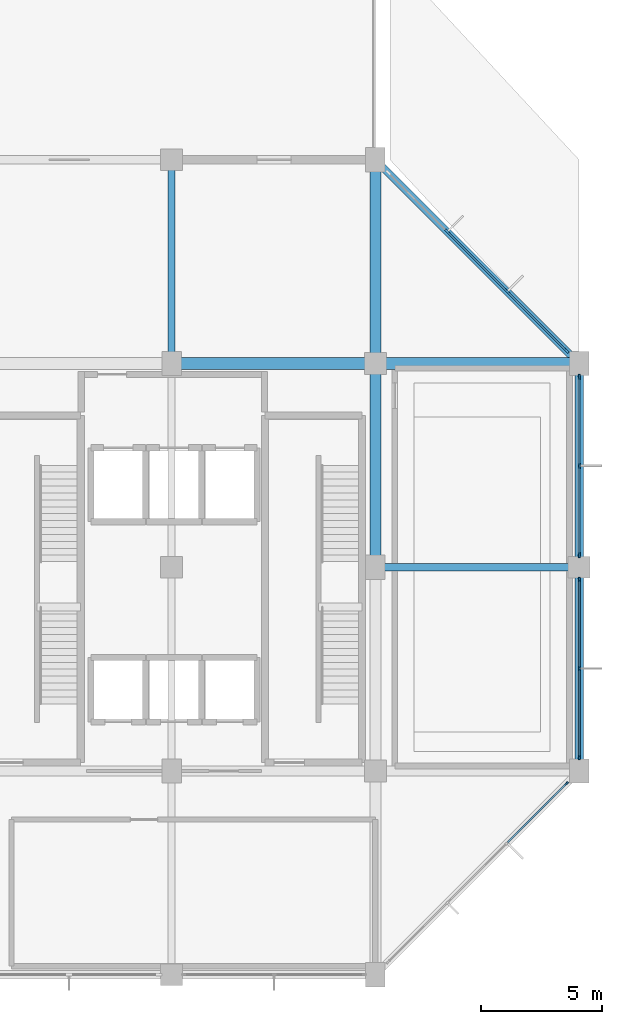
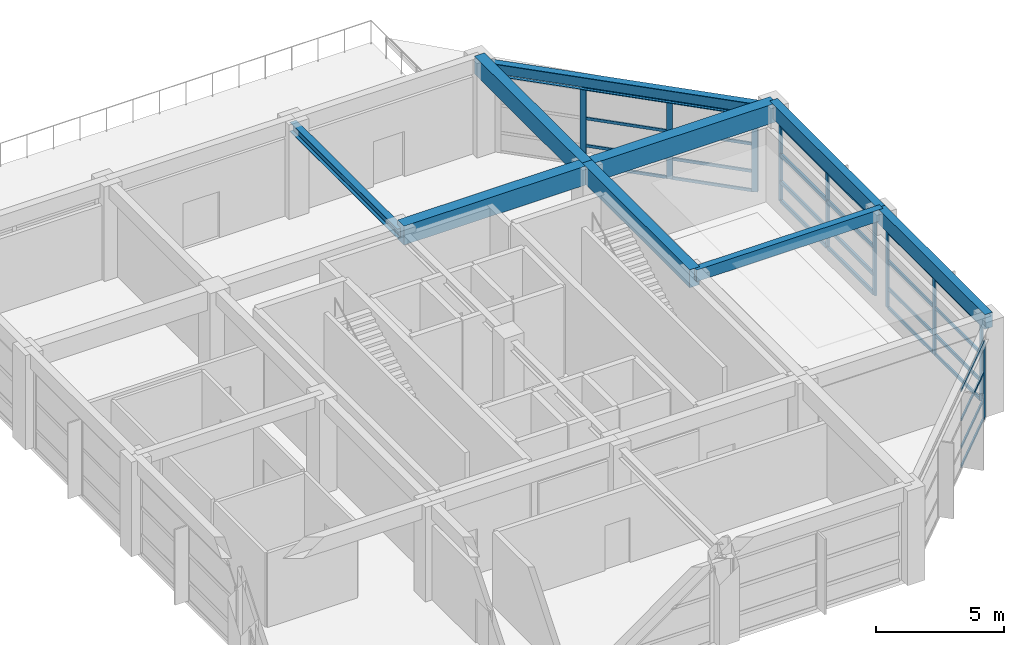
# One storey, part 5 of 10: 38 members, 9 beams, 4 elements without a shape of their own.
"""IFC4 building model written with IfcOpenShell, lengths in metres."""

import ifcopenshell
import ifcopenshell.guid

model = None  # the IFC model being written
_history = None  # IfcOwnerHistory: only IFC2X3 demands one
_inside = {}  # id of a spatial element -> (the spatial element, [elements in it])
_under = {}  # id of a project, library or spatial element -> (it, [spatial elements below it])
_declared = {}  # id of a project -> (the project, [libraries it declares])
_typed = {}  # id of a type object -> (the type object, [elements of that type])
_made_of = {}  # id of a material, layer set ... -> (it, [elements and type objects made of it])


def new_model(schema):
    """Start an empty IFC model of exactly this schema.

    Asked for "IFC4X3", IfcOpenShell would pick the latest addendum, in which some entities
    have other attributes; the version numbers below select the first issue.
    IFC2X3 requires an IfcOwnerHistory on every rooted entity: one is made here for all.
    """
    global model, _history
    if schema == "IFC4X3":
        model = ifcopenshell.file(schema_version=(4, 3, 0, 0))
    else:
        model = ifcopenshell.file(schema=schema)
    _inside.clear()
    _under.clear()
    _declared.clear()
    _typed.clear()
    _made_of.clear()
    _history = None
    if model.schema == "IFC2X3":
        org = make("IfcOrganization", Name="unknown")
        user = make(
            "IfcPersonAndOrganization",
            ThePerson=make("IfcPerson", FamilyName="unknown"),
            TheOrganization=org,
        )
        app = make(
            "IfcApplication",
            ApplicationDeveloper=org,
            Version="unknown",
            ApplicationFullName="unknown",
            ApplicationIdentifier="unknown",
        )
        _history = make(
            "IfcOwnerHistory",
            OwningUser=user,
            OwningApplication=app,
            ChangeAction="ADDED",
            CreationDate=0,
        )
    return model


def make(cls, **values):
    """One entity of the class cls with the attributes given. An attribute that is None is left unset."""
    return model.create_entity(
        cls, **{name: value for name, value in values.items() if value is not None}
    )


def rooted(cls, **values):
    """An entity with a GlobalId (a new one), such as an element, a storey or a relation."""
    return make(cls, GlobalId=ifcopenshell.guid.new(), OwnerHistory=_history, **values)


def si_unit(unit_type, name, prefix=None):
    """IfcSIUnit, for example si_unit("LENGTHUNIT", "METRE", prefix="MILLI")."""
    return make("IfcSIUnit", UnitType=unit_type, Prefix=prefix, Name=name)


def assignment(units):
    """IfcUnitAssignment: the units of a project."""
    return None if units is None else make("IfcUnitAssignment", Units=units)


def point(xyz):
    """IfcCartesianPoint."""
    return None if xyz is None else make("IfcCartesianPoint", Coordinates=xyz)


def direction(xyz):
    """IfcDirection."""
    return None if xyz is None else make("IfcDirection", DirectionRatios=xyz)


def frame(location, z_axis=None, x_axis=None):
    """IfcAxis2Placement3D, a coordinate frame: its origin and axes. An axis left out is left unset."""
    return make(
        "IfcAxis2Placement3D",
        Location=point(location),
        Axis=direction(z_axis),
        RefDirection=direction(x_axis),
    )


def frame_2d(location, x_axis=None):
    """IfcAxis2Placement2D, a coordinate frame in the plane: its origin and x axis."""
    return make(
        "IfcAxis2Placement2D", Location=point(location), RefDirection=direction(x_axis)
    )


def origin():
    """The frame at (0, 0, 0) with its axes left unset."""
    return frame((0.0, 0.0, 0.0))


def origin_2d():
    """The frame at (0, 0) in the plane with its x axis left unset."""
    return frame_2d((0.0, 0.0))


def place(relative_to, where):
    """IfcLocalPlacement: puts the frame where relative to a parent placement (None: the world)."""
    return make(
        "IfcLocalPlacement", PlacementRelTo=relative_to, RelativePlacement=where
    )


def context(
    kind, dimensions, precision=None, world=None, true_north=None, identifier=None
):
    """IfcGeometricRepresentationContext, for example the 3D "Model" context."""
    return make(
        "IfcGeometricRepresentationContext",
        ContextIdentifier=identifier,
        ContextType=kind,
        CoordinateSpaceDimension=dimensions,
        Precision=precision,
        WorldCoordinateSystem=world,
        TrueNorth=true_north,
    )


def subcontext(parent, identifier, kind, view, scale=None):
    """IfcGeometricRepresentationSubContext, for example "Body" below "Model"."""
    return make(
        "IfcGeometricRepresentationSubContext",
        ContextIdentifier=identifier,
        ContextType=kind,
        ParentContext=parent,
        TargetScale=scale,
        TargetView=view,
    )


def project(units=None, contexts=None):
    """IfcProject with its units and contexts."""
    return rooted(
        "IfcProject",
        Name="project",
        RepresentationContexts=contexts,
        UnitsInContext=assignment(units),
    )


def spatial(cls, under=None, at=None, **own):
    """A site, building, storey or space (cls), placed at a placement, below another one or the project."""
    s = rooted(cls, ObjectPlacement=at, **own)
    if under is not None:
        _under.setdefault(under.id(), (under, []))[1].append(s)
    return s


def profile(cls, at=None, kind="AREA", **sizes):
    """A parametric profile (cls). Its sizes go by their IFC names, for example OverallWidth=200.0."""
    return make(cls, ProfileType=kind, Position=at, **sizes)


def rectangle(**sizes):
    """IfcRectangleProfileDef."""
    return profile("IfcRectangleProfileDef", **sizes)


def i_section(**sizes):
    """IfcIShapeProfileDef."""
    return profile("IfcIShapeProfileDef", **sizes)


def extrude(swept, where, along, depth):
    """IfcExtrudedAreaSolid: the profile swept, set in the frame where, extruded along a direction by depth."""
    return make(
        "IfcExtrudedAreaSolid",
        SweptArea=swept,
        Position=where,
        ExtrudedDirection=direction(along),
        Depth=depth,
    )


def shape(context_of_items, identifier, shape_type, items):
    """IfcShapeRepresentation: the items that make up one representation, for example the "Body"."""
    return make(
        "IfcShapeRepresentation",
        ContextOfItems=context_of_items,
        RepresentationIdentifier=identifier,
        RepresentationType=shape_type,
        Items=items,
    )


def material(Name=None, Category=None):
    """IfcMaterial."""
    return make("IfcMaterial", Name=Name, Category=Category)


def material_profile(
    of_material, cross_section, Name=None, Category=None, Priority=None
):
    """IfcMaterialProfile: a cross section and its material."""
    return make(
        "IfcMaterialProfile",
        Name=Name,
        Material=of_material,
        Profile=cross_section,
        Priority=Priority,
        Category=Category,
    )


def profile_set(profiles, Name=None, composite=None):
    """IfcMaterialProfileSet."""
    return make(
        "IfcMaterialProfileSet",
        Name=Name,
        MaterialProfiles=profiles,
        CompositeProfile=composite,
    )


def made_of(thing, what):
    """Note that an element or type object is made of a material, layer set ...; save() writes the relation."""
    if what is not None:
        _made_of.setdefault(what.id(), (what, []))[1].append(thing)
    return thing


def type_object(cls, material=None, **own):
    """A type object (cls), such as IfcWallType, which elements share."""
    return made_of(rooted(cls, **own), material)


def element(
    cls,
    number,
    at=None,
    inside=None,
    cuts=None,
    type_object=None,
    material=None,
    context=None,
    identifier="Body",
    shape_type=None,
    held_by="IfcProductDefinitionShape",
    body=None,
    shapes=None,
    **own,
):
    """One element of the class cls, such as IfcWall. Its Tag is "e" and its number.

    at: its placement. inside: the storey or other place that contains it. cuts: it is an
    opening in that element (IfcRelVoidsElement). A single representation is given by context,
    identifier, shape_type and body (its items); several are given by shapes. held_by: the class
    of the entity that holds the representations. save() writes the other relations.
    """
    e = rooted(cls, Tag="e%d" % number, ObjectPlacement=at, **own)
    if body is not None:
        shapes = [shape(context, identifier, shape_type, body)]
    if shapes is not None:
        e.Representation = make(held_by, Representations=shapes)
    if inside is not None:
        _inside.setdefault(inside.id(), (inside, []))[1].append(e)
    if cuts is not None:
        rooted(
            "IfcRelVoidsElement", RelatingBuildingElement=cuts, RelatedOpeningElement=e
        )
    if type_object is not None:
        _typed.setdefault(type_object.id(), (type_object, []))[1].append(e)
    return made_of(e, material)


def aggregate(whole, parts):
    """IfcRelAggregates: a whole, such as a stair, and the parts it consists of."""
    return rooted("IfcRelAggregates", RelatingObject=whole, RelatedObjects=parts)


def save(model, path):
    """Write the relations noted so far, then the file.

    IfcRelAggregates (storeys below a building ...), IfcRelContainedInSpatialStructure (elements
    in a storey), IfcRelDefinesByType, IfcRelAssociatesMaterial and IfcRelDeclares: one each for
    every whole, place, type object, material and project.
    """
    for whole, parts in _under.values():
        aggregate(whole, parts)
    for where, things in _inside.values():
        rooted(
            "IfcRelContainedInSpatialStructure",
            RelatedElements=things,
            RelatingStructure=where,
        )
    for kind, things in _typed.values():
        rooted("IfcRelDefinesByType", RelatedObjects=things, RelatingType=kind)
    for what, things in _made_of.values():
        rooted("IfcRelAssociatesMaterial", RelatedObjects=things, RelatingMaterial=what)
    for by, libraries in _declared.values():
        rooted("IfcRelDeclares", RelatingContext=by, RelatedDefinitions=libraries)
    model.write(path)


model = new_model("IFC4")

# Units and contexts
model_context = context("Model", 3, precision=1e-05, world=origin(), true_north=direction((0.0, 1.0)))
body_context = subcontext(model_context, "Body", "Model", "MODEL_VIEW")
ifc_project = project(units=[si_unit("LENGTHUNIT", "METRE"), si_unit("AREAUNIT", "SQUARE_METRE"), si_unit("VOLUMEUNIT", "CUBIC_METRE"), si_unit("PLANEANGLEUNIT", "RADIAN"), si_unit("MASSUNIT", "GRAM", prefix="KILO")], contexts=[model_context])

# Site, building, storey
site_placement = place(None, origin())
site = spatial("IfcSite", under=ifc_project, at=site_placement, CompositionType="ELEMENT")
building_placement = place(site_placement, origin())
building = spatial("IfcBuilding", under=site, at=building_placement, Name="Xuanlan Plaza Opera House", CompositionType="ELEMENT")
storey_placement = place(building_placement, frame((0.0, 0.0, 69.89990234375)))
storey = spatial("IfcBuildingStorey", under=building, at=storey_placement, Name="L16", CompositionType="ELEMENT", Elevation=69.89990234375)

# Curtain wall, member
ifc_material_1 = material(Name="Anodised Aluminium 6063-T6 and Low-E Glass", Category="aluminium")
curtain_wall_type_1 = type_object("IfcCurtainWallType", Name="ENV-CW-CW-02", PredefinedType="USERDEFINED", material=ifc_material_1)
curtain_wall_1_placement = place(storey_placement, origin())
curtain_wall_1 = element("IfcCurtainWall", 1, at=curtain_wall_1_placement, inside=storey, type_object=curtain_wall_type_1, Name="Unitised Curtain Wall L16-004", ObjectType="UNITISED CURTAIN WALL", PredefinedType="USERDEFINED")
ifc_material_2 = material(Name="Anodised Aluminium 6063-T6", Category="aluminium")
ifc_material_profile_1 = material_profile(ifc_material_2, rectangle(XDim=0.070068359375, YDim=0.179931640625, at=origin_2d()), Name="ALU-M 70x180")
ifc_profile_set_1 = profile_set([ifc_material_profile_1], Name="Anodised Aluminium 6063-T6")
member_type_1 = type_object("IfcMemberType", Name="ENV-CWM-02", PredefinedType="MULLION", material=ifc_profile_set_1)
member_1_placement = place(storey_placement, frame((159.076171875, 49.876220703125, 0.0), z_axis=(0.0, 0.0, 1.0), x_axis=(-0.707106781187, 0.707106781187, 0.0)))
member_1 = element("IfcMember", 2, at=member_1_placement, type_object=member_type_1, Name="CW-02 mullion 4", PredefinedType="MULLION", context=body_context, shape_type="SweptSolid", body=[
    extrude(rectangle(XDim=0.070068359375, YDim=0.179931640625, at=origin_2d()), origin(), (0.0, 0.0, 1.0), 3.68017578125),
])

# Curtain wall, members
curtain_wall_type_2 = type_object("IfcCurtainWallType", Name="ENV-CW-CW-03", PredefinedType="USERDEFINED", material=ifc_material_1)
curtain_wall_2_placement = place(storey_placement, origin())
curtain_wall_2 = element("IfcCurtainWall", 3, at=curtain_wall_2_placement, inside=storey, type_object=curtain_wall_type_2, Name="Unitised Curtain Wall L16-005", ObjectType="UNITISED CURTAIN WALL", PredefinedType="USERDEFINED")
ifc_material_profile_2 = material_profile(ifc_material_2, rectangle(XDim=0.074951171875, YDim=0.199951171875, at=origin_2d()), Name="ALU-M 75x200")
ifc_profile_set_2 = profile_set([ifc_material_profile_2], Name="Anodised Aluminium 6063-T6")
member_type_2 = type_object("IfcMemberType", Name="ENV-CWM-03", PredefinedType="MULLION", material=ifc_profile_set_2)
member_2_placement = place(storey_placement, frame((159.60009765625, 50.95751953125, 0.0), z_axis=(0.0, 0.0, 1.0), x_axis=(-1.0, 0.0, 0.0)))
member_2 = element("IfcMember", 4, at=member_2_placement, type_object=member_type_2, Name="CW-03 mullion 1", PredefinedType="MULLION", context=body_context, shape_type="SweptSolid", body=[
    extrude(rectangle(XDim=0.074951171875, YDim=0.199951171875, at=origin_2d()), origin(), (0.0, 0.0, 1.0), 3.68017578125),
])
member_3_placement = place(storey_placement, frame((159.60009765625, 54.625, 0.0), z_axis=(0.0, 0.0, 1.0), x_axis=(-1.0, 0.0, 0.0)))
member_3 = element("IfcMember", 5, at=member_3_placement, type_object=member_type_2, Name="CW-03 mullion 2", PredefinedType="MULLION", context=body_context, shape_type="SweptSolid", body=[
    extrude(rectangle(XDim=0.074951171875, YDim=0.199951171875, at=origin_2d()), origin(), (0.0, 0.0, 1.0), 3.68017578125),
])
member_4_placement = place(storey_placement, frame((159.60009765625, 58.29248046875, 0.0), z_axis=(0.0, 0.0, 1.0), x_axis=(-1.0, 0.0, 0.0)))
member_4 = element("IfcMember", 6, at=member_4_placement, type_object=member_type_2, Name="CW-03 mullion 3", PredefinedType="MULLION", context=body_context, shape_type="SweptSolid", body=[
    extrude(rectangle(XDim=0.074951171875, YDim=0.199951171875, at=origin_2d()), origin(), (0.0, 0.0, 1.0), 3.68017578125),
])

curtain_wall_type_3 = type_object("IfcCurtainWallType", Name="ENV-CW-CW-04", PredefinedType="USERDEFINED", material=ifc_material_1)
curtain_wall_3_placement = place(storey_placement, origin())
curtain_wall_3 = element("IfcCurtainWall", 7, at=curtain_wall_3_placement, inside=storey, type_object=curtain_wall_type_3, Name="Unitised Curtain Wall L16-006", ObjectType="UNITISED CURTAIN WALL", PredefinedType="USERDEFINED")
ifc_material_profile_3 = material_profile(ifc_material_2, rectangle(XDim=0.080078125, YDim=0.219970703125, at=origin_2d()), Name="ALU-M 80x220")
ifc_profile_set_3 = profile_set([ifc_material_profile_3], Name="Anodised Aluminium 6063-T6")
member_type_3 = type_object("IfcMemberType", Name="ENV-CWM-04", PredefinedType="MULLION", material=ifc_profile_set_3)
member_5_placement = place(storey_placement, frame((159.60009765625, 59.31005859375, 0.0), z_axis=(0.0, 0.0, 1.0), x_axis=(-1.0, 0.0, 0.0)))
member_5 = element("IfcMember", 8, at=member_5_placement, type_object=member_type_3, Name="CW-04 mullion 1", PredefinedType="MULLION", context=body_context, shape_type="SweptSolid", body=[
    extrude(rectangle(XDim=0.080078125, YDim=0.219970703125, at=origin_2d()), origin(), (0.0, 0.0, 1.0), 3.68017578125),
])
member_6_placement = place(storey_placement, frame((159.60009765625, 62.97509765625, 0.0), z_axis=(0.0, 0.0, 1.0), x_axis=(-1.0, 0.0, 0.0)))
member_6 = element("IfcMember", 9, at=member_6_placement, type_object=member_type_3, Name="CW-04 mullion 2", PredefinedType="MULLION", context=body_context, shape_type="SweptSolid", body=[
    extrude(rectangle(XDim=0.080078125, YDim=0.219970703125, at=origin_2d()), origin(), (0.0, 0.0, 1.0), 3.68017578125),
])
member_7_placement = place(storey_placement, frame((159.60009765625, 66.639892578125, 0.0), z_axis=(0.0, 0.0, 1.0), x_axis=(-1.0, 0.0, 0.0)))
member_7 = element("IfcMember", 10, at=member_7_placement, type_object=member_type_3, Name="CW-04 mullion 3", PredefinedType="MULLION", context=body_context, shape_type="SweptSolid", body=[
    extrude(rectangle(XDim=0.080078125, YDim=0.219970703125, at=origin_2d()), origin(), (0.0, 0.0, 1.0), 3.68017578125),
])

curtain_wall_type_4 = type_object("IfcCurtainWallType", Name="ENV-CW-CW-01", PredefinedType="USERDEFINED", material=ifc_material_1)
curtain_wall_4_placement = place(storey_placement, origin())
curtain_wall_4 = element("IfcCurtainWall", 11, at=curtain_wall_4_placement, inside=storey, type_object=curtain_wall_type_4, Name="Unitised Curtain Wall L16-007", ObjectType="UNITISED CURTAIN WALL", PredefinedType="USERDEFINED")
ifc_material_profile_4 = material_profile(ifc_material_2, rectangle(XDim=0.090087890625, YDim=0.25, at=origin_2d()), Name="ALU-M 90x250")
ifc_profile_set_4 = profile_set([ifc_material_profile_4], Name="Anodised Aluminium 6063-T6")
member_type_4 = type_object("IfcMemberType", Name="ENV-CWM-05", PredefinedType="MULLION", material=ifc_profile_set_4)
member_8_placement = place(storey_placement, frame((159.069091796875, 67.730712890625, 0.0), z_axis=(0.0, 0.0, 1.0), x_axis=(-0.707106781187, -0.707106781187, 0.0)))
member_8 = element("IfcMember", 12, at=member_8_placement, type_object=member_type_4, Name="CW-01 mullion 1", PredefinedType="MULLION", context=body_context, shape_type="SweptSolid", body=[
    extrude(rectangle(XDim=0.090087890625, YDim=0.25, at=origin_2d()), origin(), (0.0, 0.0, 1.0), 3.68017578125),
])
member_9_placement = place(storey_placement, frame((156.633544921875, 70.166259765625, 0.0), z_axis=(0.0, 0.0, 1.0), x_axis=(-0.707106781187, -0.707106781187, 0.0)))
member_9 = element("IfcMember", 13, at=member_9_placement, type_object=member_type_4, Name="CW-01 mullion 2", PredefinedType="MULLION", context=body_context, shape_type="SweptSolid", body=[
    extrude(rectangle(XDim=0.090087890625, YDim=0.25, at=origin_2d()), origin(), (0.0, 0.0, 1.0), 3.68017578125),
])
member_10_placement = place(storey_placement, frame((154.166259765625, 72.633544921875, 0.0), z_axis=(0.0, 0.0, 1.0), x_axis=(-0.707106781187, -0.707106781187, 0.0)))
member_10 = element("IfcMember", 14, at=member_10_placement, type_object=member_type_4, Name="CW-01 mullion 3", PredefinedType="MULLION", context=body_context, shape_type="SweptSolid", body=[
    extrude(rectangle(XDim=0.090087890625, YDim=0.25, at=origin_2d()), origin(), (0.0, 0.0, 1.0), 3.68017578125),
])

# Member
ifc_material_profile_5 = material_profile(ifc_material_2, rectangle(XDim=0.06494140625, YDim=0.1201171875, at=origin_2d()), Name="ALU-T 65x120")
ifc_profile_set_5 = profile_set([ifc_material_profile_5], Name="Anodised Aluminium 6063-T6")
member_type_5 = type_object("IfcMemberType", Name="ENV-CWT-01", PredefinedType="USERDEFINED", material=ifc_profile_set_5)
member_11_placement = place(storey_placement, frame((156.658447265625, 47.45849609375, 0.03271484375), z_axis=(0.707106781187, 0.707106781187, 0.0), x_axis=(-0.707106781187, 0.707106781187, 0.0)))
member_11 = element("IfcMember", 15, at=member_11_placement, type_object=member_type_5, Name="CW-02 transom 3.1", ObjectType="TRANSOM", PredefinedType="USERDEFINED", context=body_context, shape_type="SweptSolid", body=[
    extrude(rectangle(XDim=0.06494140625, YDim=0.1201171875, at=origin_2d()), origin(), (0.0, 0.0, 1.0), 3.38427734375),
])

member_12_placement = place(storey_placement, frame((156.658447265625, 47.45849609375, 0.9501953125), z_axis=(0.707106781187, 0.707106781187, 0.0), x_axis=(-0.707106781187, 0.707106781187, 0.0)))
member_12 = element("IfcMember", 16, at=member_12_placement, type_object=member_type_5, Name="CW-02 transom 3.2", ObjectType="TRANSOM", PredefinedType="USERDEFINED", context=body_context, shape_type="SweptSolid", body=[
    extrude(rectangle(XDim=0.06494140625, YDim=0.1201171875, at=origin_2d()), origin(), (0.0, 0.0, 1.0), 3.38427734375),
])

member_13_placement = place(storey_placement, frame((156.658447265625, 47.45849609375, 2.25), z_axis=(0.707106781187, 0.707106781187, 0.0), x_axis=(-0.707106781187, 0.707106781187, 0.0)))
member_13 = element("IfcMember", 17, at=member_13_placement, type_object=member_type_5, Name="CW-02 transom 3.3", ObjectType="TRANSOM", PredefinedType="USERDEFINED", context=body_context, shape_type="SweptSolid", body=[
    extrude(rectangle(XDim=0.06494140625, YDim=0.1201171875, at=origin_2d()), origin(), (0.0, 0.0, 1.0), 3.38427734375),
])

member_14_placement = place(storey_placement, frame((156.658447265625, 47.45849609375, 3.647705078125), z_axis=(0.707106781187, 0.707106781187, 0.0), x_axis=(-0.707106781187, 0.707106781187, 0.0)))
member_14 = element("IfcMember", 18, at=member_14_placement, type_object=member_type_5, Name="CW-02 transom 3.4", ObjectType="TRANSOM", PredefinedType="USERDEFINED", context=body_context, shape_type="SweptSolid", body=[
    extrude(rectangle(XDim=0.06494140625, YDim=0.1201171875, at=origin_2d()), origin(), (0.0, 0.0, 1.0), 3.38427734375),
])

aggregate(curtain_wall_1, [member_1, member_11, member_12, member_13, member_14])

ifc_material_profile_6 = material_profile(ifc_material_2, rectangle(XDim=0.070068359375, YDim=0.135009765625, at=origin_2d()), Name="ALU-T 70x135")
ifc_profile_set_6 = profile_set([ifc_material_profile_6], Name="Anodised Aluminium 6063-T6")
member_type_6 = type_object("IfcMemberType", Name="ENV-CWT-02", PredefinedType="USERDEFINED", material=ifc_profile_set_6)
member_15_placement = place(storey_placement, frame((159.037353515625, 67.7626953125, 0.03515625), z_axis=(-0.707106781187, 0.707106781187, 0.0), x_axis=(-0.707106781187, -0.707106781187, 0.0)))
member_15 = element("IfcMember", 19, at=member_15_placement, type_object=member_type_6, Name="CW-01 transom 1.1", ObjectType="TRANSOM", PredefinedType="USERDEFINED", context=body_context, shape_type="SweptSolid", body=[
    extrude(rectangle(XDim=0.070068359375, YDim=0.135009765625, at=origin_2d()), origin(), (0.0, 0.0, 1.0), 3.354248046875),
])

member_16_placement = place(storey_placement, frame((159.037353515625, 67.7626953125, 0.9501953125), z_axis=(-0.707106781187, 0.707106781187, 0.0), x_axis=(-0.707106781187, -0.707106781187, 0.0)))
member_16 = element("IfcMember", 20, at=member_16_placement, type_object=member_type_6, Name="CW-01 transom 1.2", ObjectType="TRANSOM", PredefinedType="USERDEFINED", context=body_context, shape_type="SweptSolid", body=[
    extrude(rectangle(XDim=0.070068359375, YDim=0.135009765625, at=origin_2d()), origin(), (0.0, 0.0, 1.0), 3.354248046875),
])

member_17_placement = place(storey_placement, frame((159.037353515625, 67.7626953125, 2.25), z_axis=(-0.707106781187, 0.707106781187, 0.0), x_axis=(-0.707106781187, -0.707106781187, 0.0)))
member_17 = element("IfcMember", 21, at=member_17_placement, type_object=member_type_6, Name="CW-01 transom 1.3", ObjectType="TRANSOM", PredefinedType="USERDEFINED", context=body_context, shape_type="SweptSolid", body=[
    extrude(rectangle(XDim=0.070068359375, YDim=0.135009765625, at=origin_2d()), origin(), (0.0, 0.0, 1.0), 3.354248046875),
])

member_18_placement = place(storey_placement, frame((159.037353515625, 67.7626953125, 3.64501953125), z_axis=(-0.707106781187, 0.707106781187, 0.0), x_axis=(-0.707106781187, -0.707106781187, 0.0)))
member_18 = element("IfcMember", 22, at=member_18_placement, type_object=member_type_6, Name="CW-01 transom 1.4", ObjectType="TRANSOM", PredefinedType="USERDEFINED", context=body_context, shape_type="SweptSolid", body=[
    extrude(rectangle(XDim=0.070068359375, YDim=0.135009765625, at=origin_2d()), origin(), (0.0, 0.0, 1.0), 3.354248046875),
])

member_19_placement = place(storey_placement, frame((156.601806640625, 70.1982421875, 0.03515625), z_axis=(-0.707106781187, 0.707106781187, 0.0), x_axis=(-0.707106781187, -0.707106781187, 0.0)))
member_19 = element("IfcMember", 23, at=member_19_placement, type_object=member_type_6, Name="CW-01 transom 2.1", ObjectType="TRANSOM", PredefinedType="USERDEFINED", context=body_context, shape_type="SweptSolid", body=[
    extrude(rectangle(XDim=0.070068359375, YDim=0.135009765625, at=origin_2d()), origin(), (0.0, 0.0, 1.0), 3.399169921875),
])

member_20_placement = place(storey_placement, frame((156.601806640625, 70.1982421875, 0.9501953125), z_axis=(-0.707106781187, 0.707106781187, 0.0), x_axis=(-0.707106781187, -0.707106781187, 0.0)))
member_20 = element("IfcMember", 24, at=member_20_placement, type_object=member_type_6, Name="CW-01 transom 2.2", ObjectType="TRANSOM", PredefinedType="USERDEFINED", context=body_context, shape_type="SweptSolid", body=[
    extrude(rectangle(XDim=0.070068359375, YDim=0.135009765625, at=origin_2d()), origin(), (0.0, 0.0, 1.0), 3.399169921875),
])

member_21_placement = place(storey_placement, frame((156.601806640625, 70.1982421875, 2.25), z_axis=(-0.707106781187, 0.707106781187, 0.0), x_axis=(-0.707106781187, -0.707106781187, 0.0)))
member_21 = element("IfcMember", 25, at=member_21_placement, type_object=member_type_6, Name="CW-01 transom 2.3", ObjectType="TRANSOM", PredefinedType="USERDEFINED", context=body_context, shape_type="SweptSolid", body=[
    extrude(rectangle(XDim=0.070068359375, YDim=0.135009765625, at=origin_2d()), origin(), (0.0, 0.0, 1.0), 3.399169921875),
])

member_22_placement = place(storey_placement, frame((156.601806640625, 70.1982421875, 3.64501953125), z_axis=(-0.707106781187, 0.707106781187, 0.0), x_axis=(-0.707106781187, -0.707106781187, 0.0)))
member_22 = element("IfcMember", 26, at=member_22_placement, type_object=member_type_6, Name="CW-01 transom 2.4", ObjectType="TRANSOM", PredefinedType="USERDEFINED", context=body_context, shape_type="SweptSolid", body=[
    extrude(rectangle(XDim=0.070068359375, YDim=0.135009765625, at=origin_2d()), origin(), (0.0, 0.0, 1.0), 3.399169921875),
])

aggregate(curtain_wall_4, [member_8, member_9, member_10, member_15, member_16, member_17, member_18, member_19, member_20, member_21, member_22])

ifc_material_profile_7 = material_profile(ifc_material_2, rectangle(XDim=0.074951171875, YDim=0.14990234375, at=origin_2d()), Name="ALU-T 75x150")
ifc_profile_set_7 = profile_set([ifc_material_profile_7], Name="Anodised Aluminium 6063-T6")
member_type_7 = type_object("IfcMemberType", Name="ENV-CWT-03", PredefinedType="USERDEFINED", material=ifc_profile_set_7)
member_23_placement = place(storey_placement, frame((159.60009765625, 50.9951171875, 0.03759765625), z_axis=(0.0, 1.0, 0.0), x_axis=(-1.0, 0.0, 0.0)))
member_23 = element("IfcMember", 27, at=member_23_placement, type_object=member_type_7, Name="CW-03 transom 1.1", ObjectType="TRANSOM", PredefinedType="USERDEFINED", context=body_context, shape_type="SweptSolid", body=[
    extrude(rectangle(XDim=0.074951171875, YDim=0.14990234375, at=origin_2d()), origin(), (0.0, 0.0, 1.0), 3.59228515625),
])

member_24_placement = place(storey_placement, frame((159.60009765625, 50.9951171875, 0.9501953125), z_axis=(0.0, 1.0, 0.0), x_axis=(-1.0, 0.0, 0.0)))
member_24 = element("IfcMember", 28, at=member_24_placement, type_object=member_type_7, Name="CW-03 transom 1.2", ObjectType="TRANSOM", PredefinedType="USERDEFINED", context=body_context, shape_type="SweptSolid", body=[
    extrude(rectangle(XDim=0.074951171875, YDim=0.14990234375, at=origin_2d()), origin(), (0.0, 0.0, 1.0), 3.59228515625),
])

member_25_placement = place(storey_placement, frame((159.60009765625, 50.9951171875, 2.25), z_axis=(0.0, 1.0, 0.0), x_axis=(-1.0, 0.0, 0.0)))
member_25 = element("IfcMember", 29, at=member_25_placement, type_object=member_type_7, Name="CW-03 transom 1.3", ObjectType="TRANSOM", PredefinedType="USERDEFINED", context=body_context, shape_type="SweptSolid", body=[
    extrude(rectangle(XDim=0.074951171875, YDim=0.14990234375, at=origin_2d()), origin(), (0.0, 0.0, 1.0), 3.59228515625),
])

member_26_placement = place(storey_placement, frame((159.60009765625, 50.9951171875, 3.642578125), z_axis=(0.0, 1.0, 0.0), x_axis=(-1.0, 0.0, 0.0)))
member_26 = element("IfcMember", 30, at=member_26_placement, type_object=member_type_7, Name="CW-03 transom 1.4", ObjectType="TRANSOM", PredefinedType="USERDEFINED", context=body_context, shape_type="SweptSolid", body=[
    extrude(rectangle(XDim=0.074951171875, YDim=0.14990234375, at=origin_2d()), origin(), (0.0, 0.0, 1.0), 3.59228515625),
])

member_27_placement = place(storey_placement, frame((159.60009765625, 54.66259765625, 0.03759765625), z_axis=(0.0, 1.0, 0.0), x_axis=(-1.0, 0.0, 0.0)))
member_27 = element("IfcMember", 31, at=member_27_placement, type_object=member_type_7, Name="CW-03 transom 2.1", ObjectType="TRANSOM", PredefinedType="USERDEFINED", context=body_context, shape_type="SweptSolid", body=[
    extrude(rectangle(XDim=0.074951171875, YDim=0.14990234375, at=origin_2d()), origin(), (0.0, 0.0, 1.0), 3.59228515625),
])

member_28_placement = place(storey_placement, frame((159.60009765625, 54.66259765625, 0.9501953125), z_axis=(0.0, 1.0, 0.0), x_axis=(-1.0, 0.0, 0.0)))
member_28 = element("IfcMember", 32, at=member_28_placement, type_object=member_type_7, Name="CW-03 transom 2.2", ObjectType="TRANSOM", PredefinedType="USERDEFINED", context=body_context, shape_type="SweptSolid", body=[
    extrude(rectangle(XDim=0.074951171875, YDim=0.14990234375, at=origin_2d()), origin(), (0.0, 0.0, 1.0), 3.59228515625),
])

member_29_placement = place(storey_placement, frame((159.60009765625, 54.66259765625, 2.25), z_axis=(0.0, 1.0, 0.0), x_axis=(-1.0, 0.0, 0.0)))
member_29 = element("IfcMember", 33, at=member_29_placement, type_object=member_type_7, Name="CW-03 transom 2.3", ObjectType="TRANSOM", PredefinedType="USERDEFINED", context=body_context, shape_type="SweptSolid", body=[
    extrude(rectangle(XDim=0.074951171875, YDim=0.14990234375, at=origin_2d()), origin(), (0.0, 0.0, 1.0), 3.59228515625),
])

member_30_placement = place(storey_placement, frame((159.60009765625, 54.66259765625, 3.642578125), z_axis=(0.0, 1.0, 0.0), x_axis=(-1.0, 0.0, 0.0)))
member_30 = element("IfcMember", 34, at=member_30_placement, type_object=member_type_7, Name="CW-03 transom 2.4", ObjectType="TRANSOM", PredefinedType="USERDEFINED", context=body_context, shape_type="SweptSolid", body=[
    extrude(rectangle(XDim=0.074951171875, YDim=0.14990234375, at=origin_2d()), origin(), (0.0, 0.0, 1.0), 3.59228515625),
])

aggregate(curtain_wall_2, [member_2, member_3, member_4, member_23, member_24, member_25, member_26, member_27, member_28, member_29, member_30])

ifc_material_profile_8 = material_profile(ifc_material_2, rectangle(XDim=0.090087890625, YDim=0.179931640625, at=origin_2d()), Name="ALU-T 90x180")
ifc_profile_set_8 = profile_set([ifc_material_profile_8], Name="Anodised Aluminium 6063-T6")
member_type_8 = type_object("IfcMemberType", Name="ENV-CWT-05", PredefinedType="USERDEFINED", material=ifc_profile_set_8)
member_31_placement = place(storey_placement, frame((159.60009765625, 59.35009765625, 0.045166015625), z_axis=(0.0, 1.0, 0.0), x_axis=(-1.0, 0.0, 0.0)))
member_31 = element("IfcMember", 35, at=member_31_placement, type_object=member_type_8, Name="CW-04 transom 1.1", ObjectType="TRANSOM", PredefinedType="USERDEFINED", context=body_context, shape_type="SweptSolid", body=[
    extrude(rectangle(XDim=0.090087890625, YDim=0.179931640625, at=origin_2d()), origin(), (0.0, 0.0, 1.0), 3.5849609375),
])

member_32_placement = place(storey_placement, frame((159.60009765625, 59.35009765625, 0.9501953125), z_axis=(0.0, 1.0, 0.0), x_axis=(-1.0, 0.0, 0.0)))
member_32 = element("IfcMember", 36, at=member_32_placement, type_object=member_type_8, Name="CW-04 transom 1.2", ObjectType="TRANSOM", PredefinedType="USERDEFINED", context=body_context, shape_type="SweptSolid", body=[
    extrude(rectangle(XDim=0.090087890625, YDim=0.179931640625, at=origin_2d()), origin(), (0.0, 0.0, 1.0), 3.5849609375),
])

member_33_placement = place(storey_placement, frame((159.60009765625, 59.35009765625, 2.25), z_axis=(0.0, 1.0, 0.0), x_axis=(-1.0, 0.0, 0.0)))
member_33 = element("IfcMember", 37, at=member_33_placement, type_object=member_type_8, Name="CW-04 transom 1.3", ObjectType="TRANSOM", PredefinedType="USERDEFINED", context=body_context, shape_type="SweptSolid", body=[
    extrude(rectangle(XDim=0.090087890625, YDim=0.179931640625, at=origin_2d()), origin(), (0.0, 0.0, 1.0), 3.5849609375),
])

member_34_placement = place(storey_placement, frame((159.60009765625, 59.35009765625, 3.635009765625), z_axis=(0.0, 1.0, 0.0), x_axis=(-1.0, 0.0, 0.0)))
member_34 = element("IfcMember", 38, at=member_34_placement, type_object=member_type_8, Name="CW-04 transom 1.4", ObjectType="TRANSOM", PredefinedType="USERDEFINED", context=body_context, shape_type="SweptSolid", body=[
    extrude(rectangle(XDim=0.090087890625, YDim=0.179931640625, at=origin_2d()), origin(), (0.0, 0.0, 1.0), 3.5849609375),
])

member_35_placement = place(storey_placement, frame((159.60009765625, 63.014892578125, 0.045166015625), z_axis=(0.0, 1.0, 0.0), x_axis=(-1.0, 0.0, 0.0)))
member_35 = element("IfcMember", 39, at=member_35_placement, type_object=member_type_8, Name="CW-04 transom 2.1", ObjectType="TRANSOM", PredefinedType="USERDEFINED", context=body_context, shape_type="SweptSolid", body=[
    extrude(rectangle(XDim=0.090087890625, YDim=0.179931640625, at=origin_2d()), origin(), (0.0, 0.0, 1.0), 3.585205078125),
])

member_36_placement = place(storey_placement, frame((159.60009765625, 63.014892578125, 0.9501953125), z_axis=(0.0, 1.0, 0.0), x_axis=(-1.0, 0.0, 0.0)))
member_36 = element("IfcMember", 40, at=member_36_placement, type_object=member_type_8, Name="CW-04 transom 2.2", ObjectType="TRANSOM", PredefinedType="USERDEFINED", context=body_context, shape_type="SweptSolid", body=[
    extrude(rectangle(XDim=0.090087890625, YDim=0.179931640625, at=origin_2d()), origin(), (0.0, 0.0, 1.0), 3.585205078125),
])

member_37_placement = place(storey_placement, frame((159.60009765625, 63.014892578125, 2.25), z_axis=(0.0, 1.0, 0.0), x_axis=(-1.0, 0.0, 0.0)))
member_37 = element("IfcMember", 41, at=member_37_placement, type_object=member_type_8, Name="CW-04 transom 2.3", ObjectType="TRANSOM", PredefinedType="USERDEFINED", context=body_context, shape_type="SweptSolid", body=[
    extrude(rectangle(XDim=0.090087890625, YDim=0.179931640625, at=origin_2d()), origin(), (0.0, 0.0, 1.0), 3.585205078125),
])

member_38_placement = place(storey_placement, frame((159.60009765625, 63.014892578125, 3.635009765625), z_axis=(0.0, 1.0, 0.0), x_axis=(-1.0, 0.0, 0.0)))
member_38 = element("IfcMember", 42, at=member_38_placement, type_object=member_type_8, Name="CW-04 transom 2.4", ObjectType="TRANSOM", PredefinedType="USERDEFINED", context=body_context, shape_type="SweptSolid", body=[
    extrude(rectangle(XDim=0.090087890625, YDim=0.179931640625, at=origin_2d()), origin(), (0.0, 0.0, 1.0), 3.585205078125),
])

aggregate(curtain_wall_3, [member_5, member_6, member_7, member_31, member_32, member_33, member_34, member_35, member_36, member_37, member_38])

# Beams
ifc_material_3 = material(Name="Concrete C40", Category="concrete")
ifc_material_profile_9 = material_profile(ifc_material_3, rectangle(XDim=0.5, YDim=0.89990234375, at=origin_2d()), Name="RC-BM 500x900")
ifc_profile_set_9 = profile_set([ifc_material_profile_9], Name="Concrete C40")
beam_type_1 = type_object("IfcBeamType", Name="STR-BM-B-03", PredefinedType="BEAM", material=ifc_profile_set_9)
beam_1_placement = place(storey_placement, frame((142.800048828125, 67.199951171875, 4.050048828125), z_axis=(1.0, 0.0, 0.0), x_axis=(0.0, 1.0, 0.0)))
element("IfcBeam", 43, at=beam_1_placement, inside=storey, type_object=beam_type_1, Name="Grid Beam X L16 18-19/I", PredefinedType="BEAM", context=body_context, shape_type="SweptSolid", body=[
    extrude(rectangle(XDim=0.5, YDim=0.89990234375, at=origin_2d()), origin(), (0.0, 0.0, 1.0), 8.39990234375),
])
beam_2_placement = place(storey_placement, frame((151.199951171875, 67.199951171875, 4.050048828125), z_axis=(1.0, 0.0, 0.0), x_axis=(0.0, 1.0, 0.0)))
element("IfcBeam", 44, at=beam_2_placement, inside=storey, type_object=beam_type_1, Name="Grid Beam X L16 19-20/I", PredefinedType="BEAM", context=body_context, shape_type="SweptSolid", body=[
    extrude(rectangle(XDim=0.5, YDim=0.89990234375, at=origin_2d()), origin(), (0.0, 0.0, 1.0), 8.400146484375),
])
ifc_material_profile_10 = material_profile(ifc_material_3, rectangle(XDim=0.449951171875, YDim=0.85009765625, at=origin_2d()), Name="RC-BM 450x850")
ifc_profile_set_10 = profile_set([ifc_material_profile_10], Name="Concrete C40")
beam_type_2 = type_object("IfcBeamType", Name="STR-BM-B-04", PredefinedType="BEAM", material=ifc_profile_set_10)
beam_3_placement = place(storey_placement, frame((151.199951171875, 58.800048828125, 4.0751953125), z_axis=(0.0, 1.0, 0.0), x_axis=(-1.0, 0.0, 0.0)))
element("IfcBeam", 45, at=beam_3_placement, inside=storey, type_object=beam_type_2, Name="Grid Beam Y L16 19/H-I", PredefinedType="BEAM", context=body_context, shape_type="SweptSolid", body=[
    extrude(rectangle(XDim=0.449951171875, YDim=0.85009765625, at=origin_2d()), origin(), (0.0, 0.0, 1.0), 8.39990234375),
])
beam_4_placement = place(storey_placement, frame((151.199951171875, 67.199951171875, 4.0751953125), z_axis=(0.0, 1.0, 0.0), x_axis=(-1.0, 0.0, 0.0)))
element("IfcBeam", 46, at=beam_4_placement, inside=storey, type_object=beam_type_2, Name="Grid Beam Y L16 19/I-J", PredefinedType="BEAM", context=body_context, shape_type="SweptSolid", body=[
    extrude(rectangle(XDim=0.449951171875, YDim=0.85009765625, at=origin_2d()), origin(), (0.0, 0.0, 1.0), 8.400146484375),
])
ifc_material_profile_11 = material_profile(ifc_material_3, rectangle(XDim=0.300048828125, YDim=0.550048828125, at=origin_2d()), Name="RC-BM 300x550")
ifc_profile_set_11 = profile_set([ifc_material_profile_11], Name="Concrete C40")
beam_type_3 = type_object("IfcBeamType", Name="STR-BM-B-09", PredefinedType="BEAM", material=ifc_profile_set_11)
beam_5_placement = place(storey_placement, frame((151.199951171875, 58.800048828125, 4.22509765625), z_axis=(1.0, 0.0, 0.0), x_axis=(0.0, 1.0, 0.0)))
element("IfcBeam", 47, at=beam_5_placement, inside=storey, type_object=beam_type_3, Name="Grid Beam X L16 19-20/H", PredefinedType="BEAM", context=body_context, shape_type="SweptSolid", body=[
    extrude(rectangle(XDim=0.300048828125, YDim=0.550048828125, at=origin_2d()), origin(), (0.0, 0.0, 1.0), 8.400146484375),
])
ifc_material_4 = material(Name="Steel Q355B", Category="steel")
ifc_material_profile_12 = material_profile(ifc_material_4, i_section(OverallWidth=0.300048828125, OverallDepth=0.43994140625, WebThickness=0.010986328125, FlangeThickness=0.01806640625, FilletRadius=0.02001953125, at=origin_2d()), Name="HM 440x300x11x18")
ifc_profile_set_12 = profile_set([ifc_material_profile_12], Name="Steel Q355B")
beam_type_4 = type_object("IfcBeamType", Name="STR-BM-SB-08", PredefinedType="BEAM", material=ifc_profile_set_12)
beam_6_placement = place(storey_placement, frame((142.800048828125, 67.199951171875, 4.045166015625), z_axis=(0.0, 1.0, 0.0), x_axis=(-1.0, 0.0, 0.0)))
element("IfcBeam", 48, at=beam_6_placement, inside=storey, type_object=beam_type_4, Name="Grid Beam Y L16 18/I-J", PredefinedType="BEAM", context=body_context, shape_type="SweptSolid", body=[
    extrude(i_section(OverallWidth=0.300048828125, OverallDepth=0.43994140625, WebThickness=0.010986328125, FlangeThickness=0.01806640625, FilletRadius=0.02001953125, at=origin_2d()), origin(), (0.0, 0.0, 1.0), 8.400146484375),
])
ifc_material_profile_13 = material_profile(ifc_material_3, rectangle(XDim=0.35009765625, YDim=0.699951171875, at=origin_2d()), Name="RC-SPD 350x700")
ifc_profile_set_13 = profile_set([ifc_material_profile_13], Name="Concrete C40")
beam_type_5 = type_object("IfcBeamType", Name="STR-BM-SP-02", PredefinedType="SPANDREL", material=ifc_profile_set_13)
beam_7_placement = place(storey_placement, frame((159.60009765625, 50.39990234375, 4.150146484375), z_axis=(0.0, 1.0, 0.0), x_axis=(-1.0, 0.0, 0.0)))
element("IfcBeam", 49, at=beam_7_placement, inside=storey, type_object=beam_type_5, Name="Grid Beam Y L16 20/G-H", PredefinedType="SPANDREL", context=body_context, shape_type="SweptSolid", body=[
    extrude(rectangle(XDim=0.35009765625, YDim=0.699951171875, at=origin_2d()), origin(), (0.0, 0.0, 1.0), 8.400146484375),
])
beam_8_placement = place(storey_placement, frame((159.60009765625, 58.800048828125, 4.150146484375), z_axis=(0.0, 1.0, 0.0), x_axis=(-1.0, 0.0, 0.0)))
element("IfcBeam", 50, at=beam_8_placement, inside=storey, type_object=beam_type_5, Name="Grid Beam Y L16 20/H-I", PredefinedType="SPANDREL", context=body_context, shape_type="SweptSolid", body=[
    extrude(rectangle(XDim=0.35009765625, YDim=0.699951171875, at=origin_2d()), origin(), (0.0, 0.0, 1.0), 8.39990234375),
])
ifc_material_profile_14 = material_profile(ifc_material_4, i_section(OverallWidth=0.300048828125, OverallDepth=0.587890625, WebThickness=0.011962890625, FlangeThickness=0.02001953125, FilletRadius=0.02392578125, at=origin_2d()), Name="HM 588x300x12x20")
ifc_profile_set_14 = profile_set([ifc_material_profile_14], Name="Steel Q355B")
beam_type_6 = type_object("IfcBeamType", Name="STR-BM-SP-03", PredefinedType="SPANDREL", material=ifc_profile_set_14)
beam_9_placement = place(storey_placement, frame((151.199951171875, 75.60009765625, 3.97119140625), z_axis=(0.707106781187, -0.707106781187, 0.0), x_axis=(0.707106781187, 0.707106781187, 0.0)))
element("IfcBeam", 51, at=beam_9_placement, inside=storey, type_object=beam_type_6, Name="Faceted Edge Spandrel L16 CH03", PredefinedType="SPANDREL", context=body_context, shape_type="SweptSolid", body=[
    extrude(i_section(OverallWidth=0.300048828125, OverallDepth=0.587890625, WebThickness=0.011962890625, FlangeThickness=0.02001953125, FilletRadius=0.02392578125, at=origin_2d()), origin(), (0.0, 0.0, 1.0), 11.879638671875),
])

save(model, "model.ifc")
